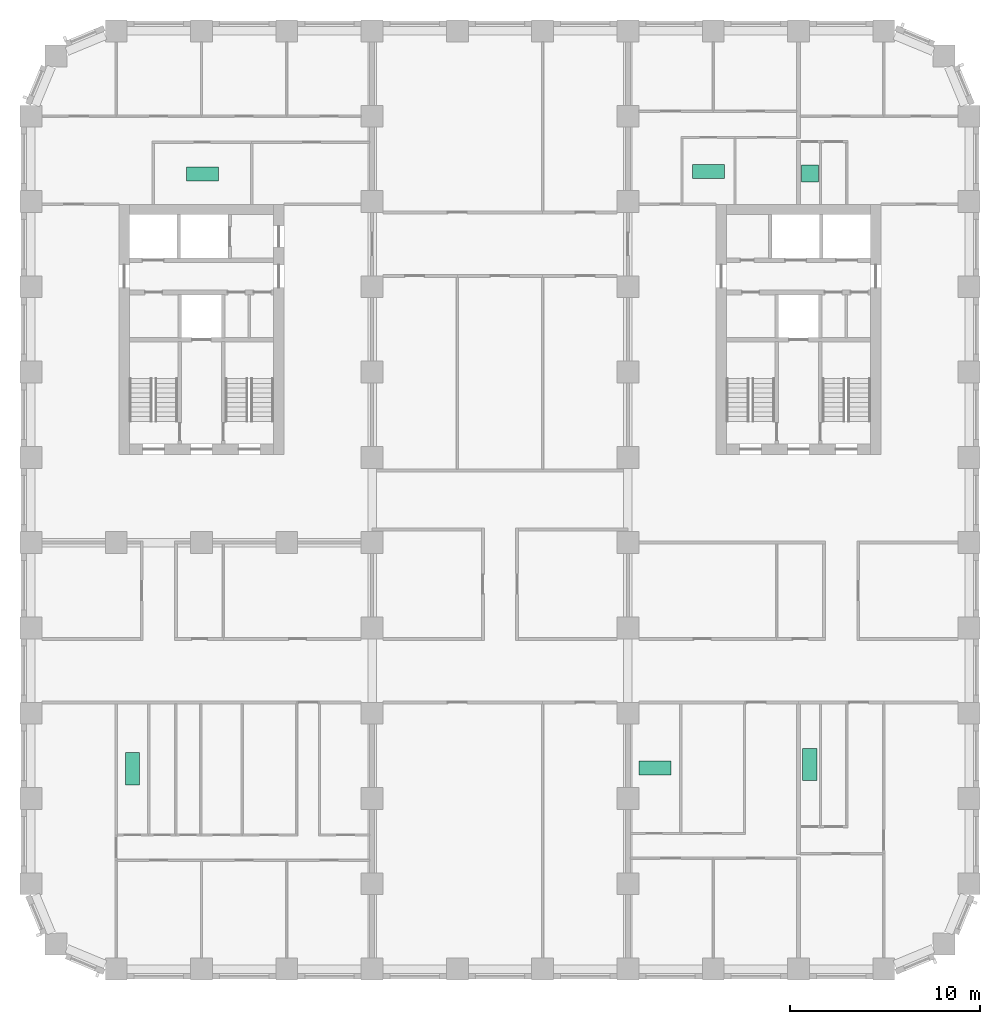
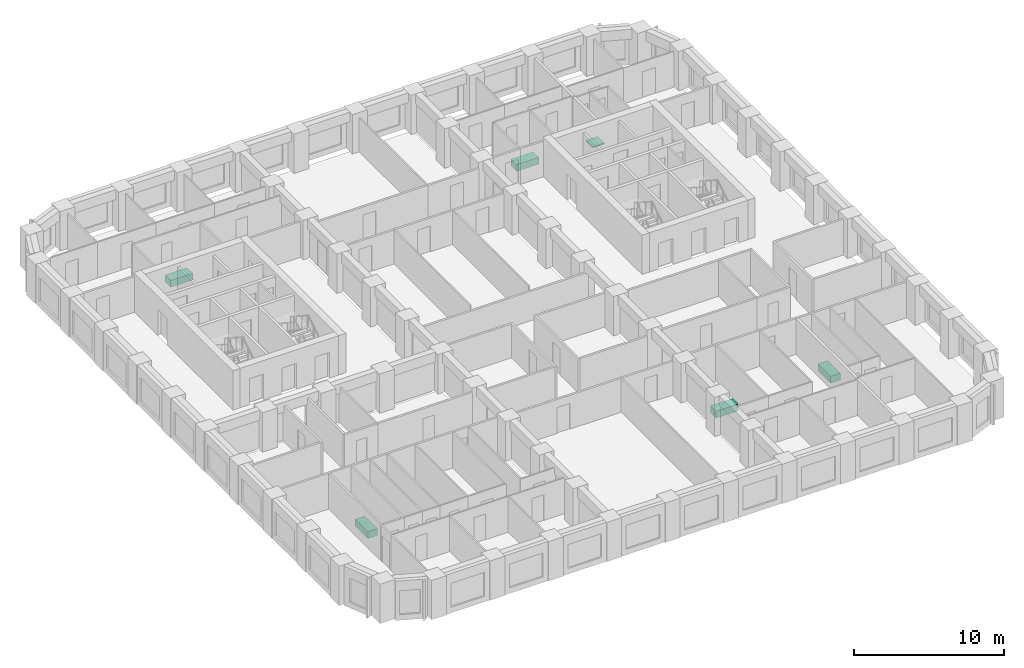
# One storey, part 13 of 13: 6 sanitary terminals.
"""IFC4 building model written with IfcOpenShell, lengths in metres."""

from ifc_helpers import new_model, si_unit, direction, frame, origin, origin_2d, place, context, subcontext, project, spatial, rectangle, extrude, material, type_object, element, save


model = new_model("IFC4")

# Units and contexts
model_context = context("Model", 3, precision=1e-05, world=origin(), true_north=direction((0.0, 1.0)))
body_context = subcontext(model_context, "Body", "Model", "MODEL_VIEW")
ifc_project = project(units=[si_unit("LENGTHUNIT", "METRE"), si_unit("AREAUNIT", "SQUARE_METRE"), si_unit("VOLUMEUNIT", "CUBIC_METRE"), si_unit("PLANEANGLEUNIT", "RADIAN"), si_unit("MASSUNIT", "GRAM", prefix="KILO")], contexts=[model_context])

# Site, building, storey
site_placement = place(None, origin())
site = spatial("IfcSite", under=ifc_project, at=site_placement, CompositionType="ELEMENT")
building_placement = place(site_placement, origin())
building = spatial("IfcBuilding", under=site, at=building_placement, Name="Girih Gate Residences", CompositionType="ELEMENT")
storey_placement = place(building_placement, frame((0.0, 0.0, 105.60009765625)))
storey = spatial("IfcBuildingStorey", under=building, at=storey_placement, Name="L29", CompositionType="ELEMENT", Elevation=105.60009765625)

# Sanitary terminals
ifc_material = material(Name="Acrylic")
sanitary_terminal_type_1 = type_object("IfcSanitaryTerminalType", Name="Bath 1700", PredefinedType="BATH", material=ifc_material)
sanitary_terminal_1_placement = place(storey_placement, frame((5.35791015625, 10.569091796875, 0.0), z_axis=(0.0, 0.0, 1.0), x_axis=(1.0, 0.0, 0.0)))
element("IfcSanitaryTerminal", 1, at=sanitary_terminal_1_placement, inside=storey, type_object=sanitary_terminal_type_1, Name="Bath 1700 L29", PredefinedType="BATH", context=body_context, shape_type="SweptSolid", body=[
    extrude(rectangle(XDim=0.75, YDim=1.699951171875, at=origin_2d()), origin(), (0.0, 0.0, 1.0), 0.550048828125),
])
sanitary_terminal_2_placement = place(storey_placement, frame((9.047119140625, 41.9541015625, 0.0), z_axis=(0.0, 0.0, 1.0), x_axis=(1.0, 0.0, 0.0)))
element("IfcSanitaryTerminal", 2, at=sanitary_terminal_2_placement, inside=storey, type_object=sanitary_terminal_type_1, Name="Bath 1700 L29", PredefinedType="BATH", context=body_context, shape_type="SweptSolid", body=[
    extrude(rectangle(XDim=1.699951171875, YDim=0.75, at=origin_2d()), origin(), (0.0, 0.0, 1.0), 0.550048828125),
])
sanitary_terminal_3_placement = place(storey_placement, frame((41.097900390625, 10.7890625, 0.0), z_axis=(0.0, 0.0, 1.0), x_axis=(1.0, 0.0, 0.0)))
element("IfcSanitaryTerminal", 3, at=sanitary_terminal_3_placement, inside=storey, type_object=sanitary_terminal_type_1, Name="Bath 1700 L29", PredefinedType="BATH", context=body_context, shape_type="SweptSolid", body=[
    extrude(rectangle(XDim=0.75, YDim=1.699951171875, at=origin_2d()), origin(), (0.0, 0.0, 1.0), 0.550048828125),
])
for number, where, z_axis, x_axis, name in (
    (4, (32.925048828125, 10.60888671875, 0.0), (0.0, 0.0, 1.0), (1.0, 0.0, 0.0), "Bath 1700 L29"),
    (5, (35.75, 42.0810546875, 0.0), (0.0, 0.0, 1.0), (1.0, 0.0, 0.0), "Bath 1700 L29"),
):
    element("IfcSanitaryTerminal", number, at=place(storey_placement, frame(where, z_axis=z_axis, x_axis=x_axis)), inside=storey, type_object=sanitary_terminal_type_1, Name=name, PredefinedType="BATH", context=body_context, shape_type="SweptSolid", body=[
        extrude(rectangle(XDim=1.699951171875, YDim=0.75, at=origin_2d()), origin(), (0.0, 0.0, 1.0), 0.550048828125),
    ])
sanitary_terminal_type_2 = type_object("IfcSanitaryTerminalType", Name="Shower tray 900", PredefinedType="SHOWER", material=ifc_material)
sanitary_terminal_4_placement = place(storey_placement, frame((41.097900390625, 41.97412109375, -0.000244140625), z_axis=(0.0, 0.0, 1.0), x_axis=(1.0, 0.0, 0.0)))
element("IfcSanitaryTerminal", 6, at=sanitary_terminal_4_placement, inside=storey, type_object=sanitary_terminal_type_2, Name="Shower tray 900 L29", PredefinedType="SHOWER", context=body_context, shape_type="SweptSolid", body=[
    extrude(rectangle(XDim=0.89990234375, YDim=0.89990234375, at=origin_2d()), origin(), (0.0, 0.0, 1.0), 0.10009765625),
])

save(model, "model.ifc")
